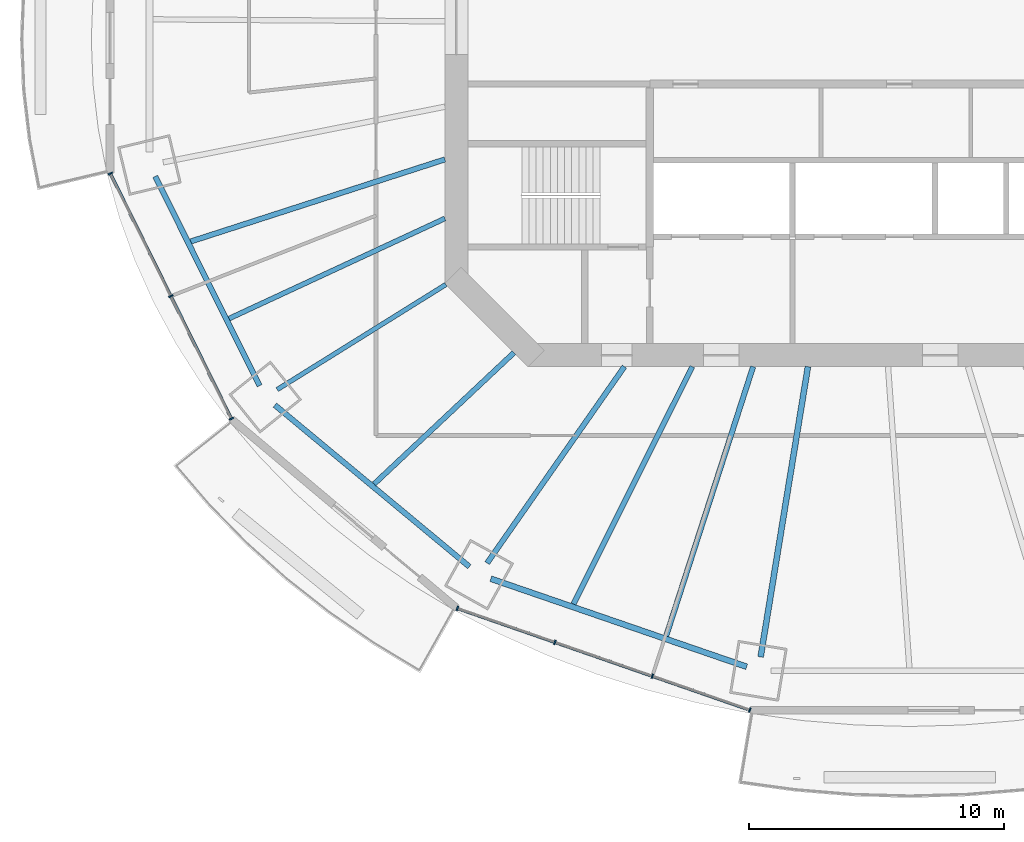
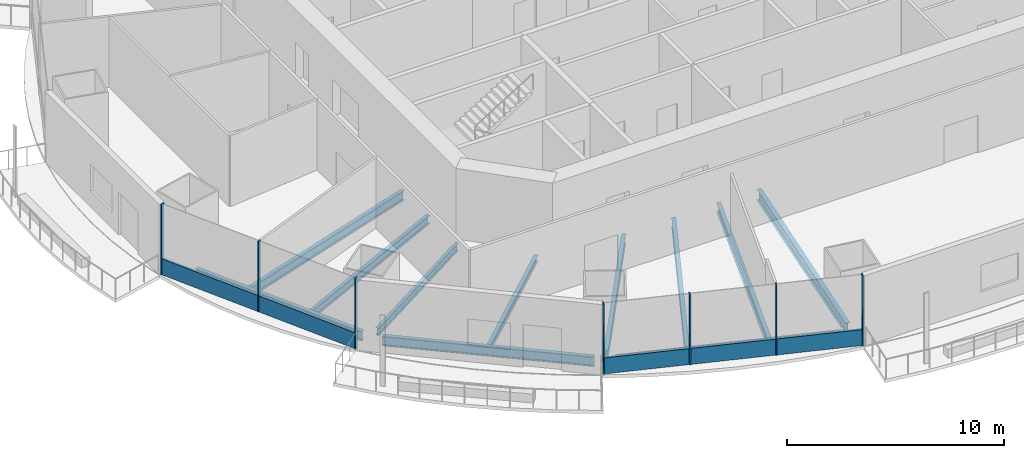
# One storey, part 2 of 20: 11 beams, 9 members, 2 elements without a shape of their own.
"""IFC4 building model written with IfcOpenShell, lengths in metres."""

from ifc_helpers import new_model, si_unit, direction, frame, origin, origin_2d, place, context, subcontext, project, spatial, rectangle, i_section, extrude, material, material_profile, profile_set, type_object, element, aggregate, save


model = new_model("IFC4")

# Units and contexts
model_context = context("Model", 3, precision=1e-05, world=origin(), true_north=direction((0.0, 1.0)))
body_context = subcontext(model_context, "Body", "Model", "MODEL_VIEW")
ifc_project = project(units=[si_unit("LENGTHUNIT", "METRE"), si_unit("AREAUNIT", "SQUARE_METRE"), si_unit("VOLUMEUNIT", "CUBIC_METRE"), si_unit("PLANEANGLEUNIT", "RADIAN"), si_unit("MASSUNIT", "GRAM", prefix="KILO")], contexts=[model_context])

# Site, building, storey
site_placement = place(None, origin())
site = spatial("IfcSite", under=ifc_project, at=site_placement, CompositionType="ELEMENT")
building_placement = place(site_placement, origin())
building = spatial("IfcBuilding", under=site, at=building_placement, Name="Marenthal Gate Tower", CompositionType="ELEMENT")
storey_placement = place(building_placement, frame((0.0, 0.0, 194.25)))
storey = spatial("IfcBuildingStorey", under=building, at=storey_placement, Name="L42", CompositionType="ELEMENT", Elevation=194.25)

# Curtain wall, members
ifc_material_1 = material(Name="Aluminium and glass", Category="aluminium")
curtain_wall_type = type_object("IfcCurtainWallType", Name="Curtain wall typical mid", PredefinedType="NOTDEFINED", material=ifc_material_1)
curtain_wall_1_placement = place(storey_placement, origin())
curtain_wall_1 = element("IfcCurtainWall", 1, at=curtain_wall_1_placement, inside=storey, type_object=curtain_wall_type, Name="Curtain wall L42 bay 9", PredefinedType="NOTDEFINED")
ifc_material_2 = material(Name="Aluminium", Category="aluminium")
ifc_material_profile_1 = material_profile(ifc_material_2, rectangle(XDim=0.179931640625, YDim=0.06005859375, at=origin_2d()), Name="60x180 aluminium mullion")
ifc_profile_set_1 = profile_set([ifc_material_profile_1], Name="Aluminium")
member_type_1 = type_object("IfcMemberType", Name="Mullion 60x180 typical mid", PredefinedType="MULLION", material=ifc_profile_set_1)
member_1_placement = place(storey_placement, frame((-29.58642578125, -5.8671875, 0.0), z_axis=(0.0, 0.0, 1.0), x_axis=(0.896680826174, 0.442677643406, 0.0)))
member_1 = element("IfcMember", 2, at=member_1_placement, type_object=member_type_1, Name="Mullion L42 bay 9.1", PredefinedType="MULLION", context=body_context, shape_type="SweptSolid", body=[
    extrude(rectangle(XDim=0.179931640625, YDim=0.06005859375, at=origin_2d()), origin(), (0.0, 0.0, 1.0), 3.969970703125),
])
member_2_placement = place(storey_placement, frame((-27.209716796875, -10.681640625, 0.0), z_axis=(0.0, 0.0, 1.0), x_axis=(0.896680826174, 0.442677643406, 0.0)))
member_2 = element("IfcMember", 3, at=member_2_placement, type_object=member_type_1, Name="Mullion L42 bay 9.2", PredefinedType="MULLION", context=body_context, shape_type="SweptSolid", body=[
    extrude(rectangle(XDim=0.179931640625, YDim=0.06005859375, at=origin_2d()), origin(), (0.0, 0.0, 1.0), 3.969970703125),
])
member_3_placement = place(storey_placement, frame((-24.832763671875, -15.496337890625, 0.0), z_axis=(0.0, 0.0, 1.0), x_axis=(0.896680826174, 0.442677643406, 0.0)))
member_3 = element("IfcMember", 4, at=member_3_placement, type_object=member_type_1, Name="Mullion L42 bay 9.3", PredefinedType="MULLION", context=body_context, shape_type="SweptSolid", body=[
    extrude(rectangle(XDim=0.179931640625, YDim=0.06005859375, at=origin_2d()), origin(), (0.0, 0.0, 1.0), 3.969970703125),
])

curtain_wall_2_placement = place(storey_placement, origin())
curtain_wall_2 = element("IfcCurtainWall", 5, at=curtain_wall_2_placement, inside=storey, type_object=curtain_wall_type, Name="Curtain wall L42 bay 11", PredefinedType="NOTDEFINED")
member_4_placement = place(storey_placement, frame((-15.958251953125, -22.94384765625, 0.0), z_axis=(0.0, 0.0, 1.0), x_axis=(0.328273001535, 0.944582890203, 0.0)))
member_4 = element("IfcMember", 6, at=member_4_placement, type_object=member_type_1, Name="Mullion L42 bay 11.1", PredefinedType="MULLION", context=body_context, shape_type="SweptSolid", body=[
    extrude(rectangle(XDim=0.179931640625, YDim=0.06005859375, at=origin_2d()), origin(), (0.0, 0.0, 1.0), 3.969970703125),
])
member_5_placement = place(storey_placement, frame((-12.130126953125, -24.2744140625, 0.0), z_axis=(0.0, 0.0, 1.0), x_axis=(0.328273001535, 0.944582890203, 0.0)))
member_5 = element("IfcMember", 7, at=member_5_placement, type_object=member_type_1, Name="Mullion L42 bay 11.2", PredefinedType="MULLION", context=body_context, shape_type="SweptSolid", body=[
    extrude(rectangle(XDim=0.179931640625, YDim=0.06005859375, at=origin_2d()), origin(), (0.0, 0.0, 1.0), 3.969970703125),
])
member_6_placement = place(storey_placement, frame((-8.30224609375, -25.604736328125, 0.0), z_axis=(0.0, 0.0, 1.0), x_axis=(0.328273001535, 0.944582890203, 0.0)))
member_6 = element("IfcMember", 8, at=member_6_placement, type_object=member_type_1, Name="Mullion L42 bay 11.3", PredefinedType="MULLION", context=body_context, shape_type="SweptSolid", body=[
    extrude(rectangle(XDim=0.179931640625, YDim=0.06005859375, at=origin_2d()), origin(), (0.0, 0.0, 1.0), 3.969970703125),
])
member_7_placement = place(storey_placement, frame((-4.47412109375, -26.93505859375, 0.0), z_axis=(0.0, 0.0, 1.0), x_axis=(0.328273001535, 0.944582890203, 0.0)))
member_7 = element("IfcMember", 9, at=member_7_placement, type_object=member_type_1, Name="Mullion L42 bay 11.4", PredefinedType="MULLION", context=body_context, shape_type="SweptSolid", body=[
    extrude(rectangle(XDim=0.179931640625, YDim=0.06005859375, at=origin_2d()), origin(), (0.0, 0.0, 1.0), 3.969970703125),
])

# Member
ifc_material_3 = material(Name="Aluminium", Category="aluminium")
ifc_material_profile_2 = material_profile(ifc_material_3, rectangle(XDim=0.1201171875, YDim=0.89990234375, at=origin_2d()), Name="120x900 aluminium transom")
ifc_profile_set_2 = profile_set([ifc_material_profile_2], Name="Aluminium")
member_type_2 = type_object("IfcMemberType", Name="Transom 120x900 typical mid", PredefinedType="USERDEFINED", material=ifc_profile_set_2)
member_8_placement = place(storey_placement, frame((-29.5732421875, -5.89404296875, 0.449951171875), z_axis=(0.442681148618, -0.896679095696, 0.0), x_axis=(0.896679095696, 0.442681148618, 0.0)))
member_8 = element("IfcMember", 10, at=member_8_placement, type_object=member_type_2, Name="Transom L42 bay 9", ObjectType="TRANSOM", PredefinedType="USERDEFINED", context=body_context, shape_type="SweptSolid", body=[
    extrude(rectangle(XDim=0.1201171875, YDim=0.89990234375, at=origin_2d()), origin(), (0.0, 0.0, 1.0), 10.6787109375),
])

aggregate(curtain_wall_1, [member_1, member_2, member_3, member_8])

member_9_placement = place(storey_placement, frame((-15.929931640625, -22.953857421875, 0.449951171875), z_axis=(0.944582522585, -0.328274059326, 0.0), x_axis=(0.328274059326, 0.944582522585, 0.0)))
member_9 = element("IfcMember", 11, at=member_9_placement, type_object=member_type_2, Name="Transom L42 bay 11", ObjectType="TRANSOM", PredefinedType="USERDEFINED", context=body_context, shape_type="SweptSolid", body=[
    extrude(rectangle(XDim=0.1201171875, YDim=0.89990234375, at=origin_2d()), origin(), (0.0, 0.0, 1.0), 12.097900390625),
])

aggregate(curtain_wall_2, [member_4, member_5, member_6, member_7, member_9])

# Beams
ifc_material_4 = material(Name="Steel S355", Category="steel")
ifc_material_profile_3 = material_profile(ifc_material_4, i_section(OverallWidth=0.205078125, OverallDepth=0.35302734375, WebThickness=0.009521484375, FlangeThickness=0.016845703125, FilletRadius=0.014892578125, at=origin_2d()), Name="W360X79")
ifc_profile_set_3 = profile_set([ifc_material_profile_3], Name="Steel S355")
beam_type_1 = type_object("IfcBeamType", Name="W360X79 beam", PredefinedType="BEAM", material=ifc_profile_set_3)
beam_1_placement = place(storey_placement, frame((-19.2294921875, -18.059814453125, -0.3564453125), z_axis=(0.728917630453, 0.684601408131, 0.0), x_axis=(-0.684601408131, 0.728917630453, 0.0)))
element("IfcBeam", 12, at=beam_1_placement, inside=storey, type_object=beam_type_1, Name="BM-L42-31", PredefinedType="BEAM", context=body_context, shape_type="SweptSolid", body=[
    extrude(i_section(OverallWidth=0.205078125, OverallDepth=0.35302734375, WebThickness=0.009521484375, FlangeThickness=0.016845703125, FilletRadius=0.014892578125, at=origin_2d()), origin(), (0.0, 0.0, 1.0), 7.536376953125),
])
ifc_material_5 = material(Name="Steel S355", Category="steel")
ifc_material_profile_4 = material_profile(ifc_material_5, i_section(OverallWidth=0.180908203125, OverallDepth=0.4169921875, WebThickness=0.010986328125, FlangeThickness=0.018310546875, FilletRadius=0.01025390625, at=origin_2d()), Name="W410X85")
ifc_profile_set_4 = profile_set([ifc_material_profile_4], Name="Steel S355")
beam_type_2 = type_object("IfcBeamType", Name="W410X85 beam", PredefinedType="BEAM", material=ifc_profile_set_4)
beam_2_placement = place(storey_placement, frame((-23.032470703125, -14.3505859375, -0.388427734375), z_axis=(0.848728892629, 0.528828201609, 0.0), x_axis=(-0.528828201609, 0.848728892629, 0.0)))
element("IfcBeam", 13, at=beam_2_placement, inside=storey, type_object=beam_type_2, Name="BM-L42-10", PredefinedType="BEAM", context=body_context, shape_type="SweptSolid", body=[
    extrude(i_section(OverallWidth=0.180908203125, OverallDepth=0.4169921875, WebThickness=0.010986328125, FlangeThickness=0.018310546875, FilletRadius=0.01025390625, at=origin_2d()), origin(), (0.0, 0.0, 1.0), 7.80126953125),
])
ifc_material_6 = material(Name="Steel S355", Category="steel")
ifc_material_profile_5 = material_profile(ifc_material_6, i_section(OverallWidth=0.193115234375, OverallDepth=0.467041015625, WebThickness=0.011474609375, FlangeThickness=0.01904296875, FilletRadius=0.010009765625, at=origin_2d()), Name="W460X97")
ifc_profile_set_5 = profile_set([ifc_material_profile_5], Name="Steel S355")
beam_type_3 = type_object("IfcBeamType", Name="W460X97 beam", PredefinedType="BEAM", material=ifc_profile_set_5)
beam_3_placement = place(storey_placement, frame((-24.92431640625, -11.56298828125, -0.41357421875), z_axis=(0.907136908367, 0.420835632377, 0.0), x_axis=(-0.420835632377, 0.907136908367, 0.0)))
element("IfcBeam", 14, at=beam_3_placement, inside=storey, type_object=beam_type_3, Name="BM-L42-30", PredefinedType="BEAM", context=body_context, shape_type="SweptSolid", body=[
    extrude(i_section(OverallWidth=0.193115234375, OverallDepth=0.467041015625, WebThickness=0.011474609375, FlangeThickness=0.01904296875, FilletRadius=0.010009765625, at=origin_2d()), origin(), (0.0, 0.0, 1.0), 9.341796875),
])
ifc_material_7 = material(Name="Steel S355", Category="steel")
ifc_material_profile_6 = material_profile(ifc_material_7, i_section(OverallWidth=0.2099609375, OverallDepth=0.535888671875, WebThickness=0.010986328125, FlangeThickness=0.017333984375, FilletRadius=0.0126953125, at=origin_2d()), Name="W530X101")
ifc_profile_set_6 = profile_set([ifc_material_profile_6], Name="Steel S355")
beam_type_4 = type_object("IfcBeamType", Name="W530X101 beam", PredefinedType="BEAM", material=ifc_profile_set_6)
beam_4_placement = place(storey_placement, frame((-14.79052734375, -21.164794921875, -0.447998046875), z_axis=(0.572818036302, 0.819682558853, 0.0), x_axis=(-0.819682558853, 0.572818036302, 0.0)))
element("IfcBeam", 15, at=beam_4_placement, inside=storey, type_object=beam_type_4, Name="BM-L42-11", PredefinedType="BEAM", context=body_context, shape_type="SweptSolid", body=[
    extrude(i_section(OverallWidth=0.2099609375, OverallDepth=0.535888671875, WebThickness=0.010986328125, FlangeThickness=0.017333984375, FilletRadius=0.0126953125, at=origin_2d()), origin(), (0.0, 0.0, 1.0), 9.412109375),
])
beam_5_placement = place(storey_placement, frame((-26.433349609375, -8.536865234375, -0.447998046875), z_axis=(0.951606355929, 0.307319611083, 0.0), x_axis=(-0.307319611083, 0.951606355929, 0.0)))
element("IfcBeam", 16, at=beam_5_placement, inside=storey, type_object=beam_type_4, Name="BM-L42-29", PredefinedType="BEAM", context=body_context, shape_type="SweptSolid", body=[
    extrude(i_section(OverallWidth=0.2099609375, OverallDepth=0.535888671875, WebThickness=0.010986328125, FlangeThickness=0.017333984375, FilletRadius=0.0126953125, at=origin_2d()), origin(), (0.0, 0.0, 1.0), 10.4912109375),
])
beam_6_placement = place(storey_placement, frame((-11.39990234375, -22.775390625, -0.447998046875), z_axis=(0.447578775757, 0.894244507667, 0.0), x_axis=(-0.894244507667, 0.447578775757, 0.0)))
element("IfcBeam", 17, at=beam_6_placement, inside=storey, type_object=beam_type_4, Name="BM-L42-32", PredefinedType="BEAM", context=body_context, shape_type="SweptSolid", body=[
    extrude(i_section(OverallWidth=0.2099609375, OverallDepth=0.535888671875, WebThickness=0.010986328125, FlangeThickness=0.017333984375, FilletRadius=0.0126953125, at=origin_2d()), origin(), (0.0, 0.0, 1.0), 10.42822265625),
])
beam_7_placement = place(storey_placement, frame((-7.759521484375, -24.028076171875, -0.447998046875), z_axis=(0.307305650276, 0.951610864434, 0.0), x_axis=(-0.951610864434, 0.307305650276, 0.0)))
element("IfcBeam", 18, at=beam_7_placement, inside=storey, type_object=beam_type_4, Name="BM-L42-33", PredefinedType="BEAM", context=body_context, shape_type="SweptSolid", body=[
    extrude(i_section(OverallWidth=0.2099609375, OverallDepth=0.535888671875, WebThickness=0.010986328125, FlangeThickness=0.017333984375, FilletRadius=0.0126953125, at=origin_2d()), origin(), (0.0, 0.0, 1.0), 11.115966796875),
])
ifc_material_8 = material(Name="Steel S355", Category="steel")
ifc_material_profile_7 = material_profile(ifc_material_8, i_section(OverallWidth=0.2119140625, OverallDepth=0.5439453125, WebThickness=0.01318359375, FlangeThickness=0.021240234375, FilletRadius=0.0126953125, at=origin_2d()), Name="W530X123")
ifc_profile_set_7 = profile_set([ifc_material_profile_7], Name="Steel S355")
beam_type_5 = type_object("IfcBeamType", Name="W530X123 beam", PredefinedType="BEAM", material=ifc_profile_set_7)
beam_8_placement = place(storey_placement, frame((-27.82666015625, -5.980224609375, -0.451904296875), z_axis=(0.446245776871, -0.894910446148, 0.0), x_axis=(0.894910446148, 0.446245776871, 0.0)))
element("IfcBeam", 19, at=beam_8_placement, inside=storey, type_object=beam_type_5, Name="BM-L42-49", PredefinedType="BEAM", context=body_context, shape_type="SweptSolid", body=[
    extrude(i_section(OverallWidth=0.2119140625, OverallDepth=0.5439453125, WebThickness=0.01318359375, FlangeThickness=0.021240234375, FilletRadius=0.0126953125, at=origin_2d()), origin(), (0.0, 0.0, 1.0), 9.184814453125),
])
beam_9_placement = place(storey_placement, frame((-23.125, -14.961669921875, -0.451904296875), z_axis=(0.769236112246, -0.638964634089, 0.0), x_axis=(0.638964634089, 0.769236112246, 0.0)))
element("IfcBeam", 20, at=beam_9_placement, inside=storey, type_object=beam_type_5, Name="BM-L42-50", PredefinedType="BEAM", context=body_context, shape_type="SweptSolid", body=[
    extrude(i_section(OverallWidth=0.2119140625, OverallDepth=0.5439453125, WebThickness=0.01318359375, FlangeThickness=0.021240234375, FilletRadius=0.0126953125, at=origin_2d()), origin(), (0.0, 0.0, 1.0), 9.928955078125),
])
ifc_material_9 = material(Name="Steel S355", Category="steel")
ifc_material_profile_8 = material_profile(ifc_material_9, i_section(OverallWidth=0.22900390625, OverallDepth=0.612060546875, WebThickness=0.011962890625, FlangeThickness=0.01953125, FilletRadius=0.0126953125, at=origin_2d()), Name="W610X125")
ifc_profile_set_8 = profile_set([ifc_material_profile_8], Name="Steel S355")
beam_type_6 = type_object("IfcBeamType", Name="W610X125 beam", PredefinedType="BEAM", material=ifc_profile_set_8)
beam_10_placement = place(storey_placement, frame((-4.04931640625, -24.852294921875, -0.486083984375), z_axis=(0.160820189307, 0.986983721604, 0.0), x_axis=(-0.986983721604, 0.160820189307, 0.0)))
element("IfcBeam", 21, at=beam_10_placement, inside=storey, type_object=beam_type_6, Name="BM-L42-12", PredefinedType="BEAM", context=body_context, shape_type="SweptSolid", body=[
    extrude(i_section(OverallWidth=0.22900390625, OverallDepth=0.612060546875, WebThickness=0.011962890625, FlangeThickness=0.01953125, FilletRadius=0.0126953125, at=origin_2d()), origin(), (0.0, 0.0, 1.0), 11.552734375),
])
beam_11_placement = place(storey_placement, frame((-14.645263671875, -21.77978515625, -0.486083984375), z_axis=(0.945594274162, -0.325348226785, 0.0), x_axis=(0.325348226785, 0.945594274162, 0.0)))
element("IfcBeam", 22, at=beam_11_placement, inside=storey, type_object=beam_type_6, Name="BM-L42-51", PredefinedType="BEAM", context=body_context, shape_type="SweptSolid", body=[
    extrude(i_section(OverallWidth=0.22900390625, OverallDepth=0.612060546875, WebThickness=0.011962890625, FlangeThickness=0.01953125, FilletRadius=0.0126953125, at=origin_2d()), origin(), (0.0, 0.0, 1.0), 10.623291015625),
])

save(model, "model.ifc")
